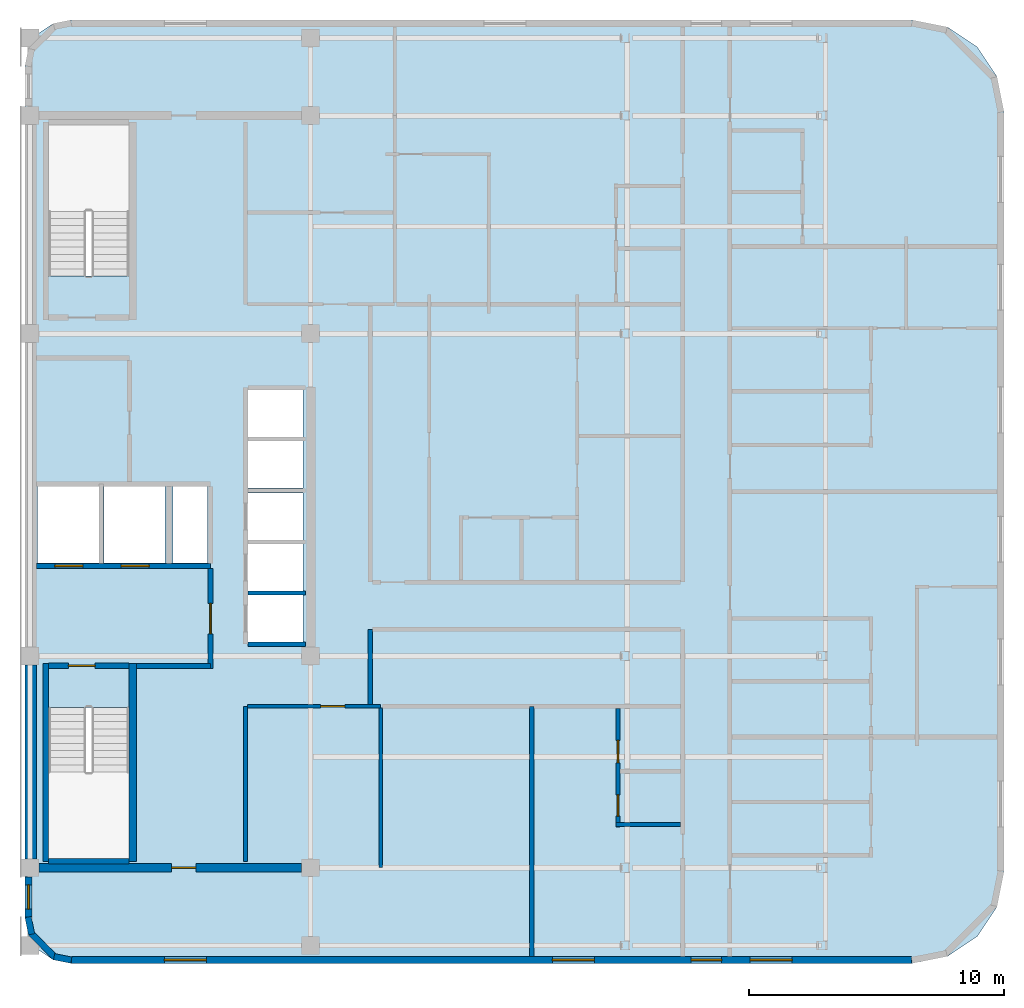
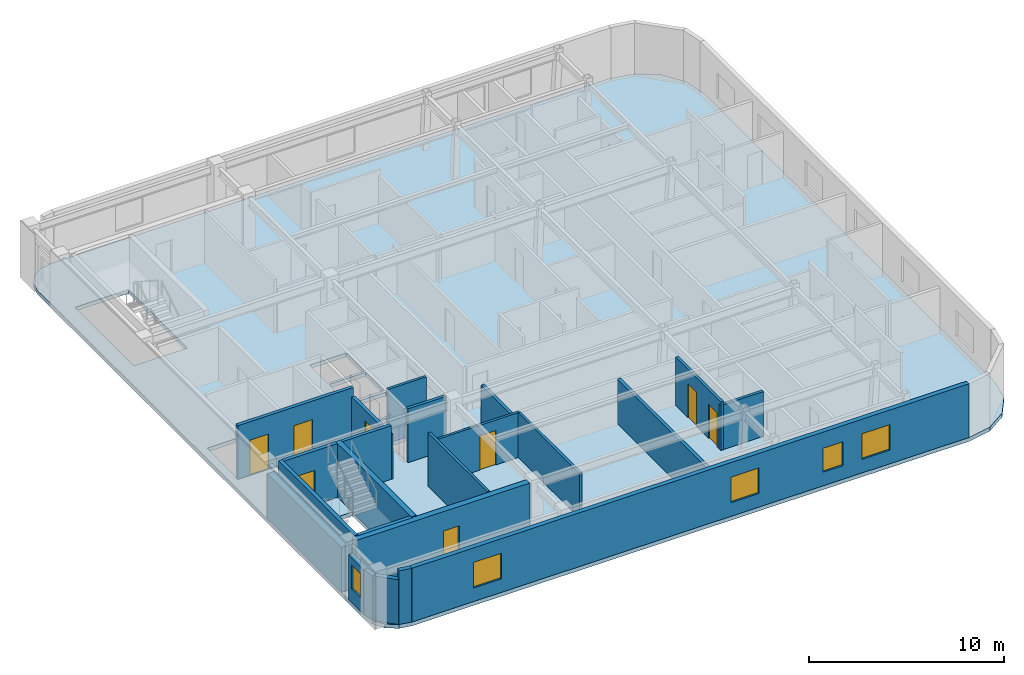
# One storey, part 2 of 7: 23 walls, 8 doors, 5 windows, 1 slab, 13 openings.
"""IFC4 building model written with IfcOpenShell, lengths in metres."""

from ifc_helpers import new_model, si_unit, direction, frame, frame_2d, origin, place, context, subcontext, project, spatial, polyline, rectangle, outline, extrude, material, layer, layer_set, type_object, element, fill, save


model = new_model("IFC4")

# Units and contexts
model_context = context("Model", 3, precision=1e-05, world=origin(), true_north=direction((0.0, 1.0)))
body_context = subcontext(model_context, "Body", "Model", "MODEL_VIEW")
ifc_project = project(units=[si_unit("LENGTHUNIT", "METRE"), si_unit("AREAUNIT", "SQUARE_METRE"), si_unit("VOLUMEUNIT", "CUBIC_METRE"), si_unit("PLANEANGLEUNIT", "RADIAN"), si_unit("MASSUNIT", "GRAM", prefix="KILO")], contexts=[model_context])

# Site, building, storey
site_placement = place(None, origin())
site = spatial("IfcSite", under=ifc_project, at=site_placement, CompositionType="ELEMENT")
building_placement = place(site_placement, origin())
building = spatial("IfcBuilding", under=site, at=building_placement, Name="Ochreholt Gables", CompositionType="ELEMENT")
storey_placement = place(building_placement, frame((0.0, 0.0, 216.60009765625)))
storey = spatial("IfcBuildingStorey", under=building, at=storey_placement, Name="L56", CompositionType="ELEMENT", Elevation=216.60009765625)

# Slab
ifc_material_1 = material(Name="Concrete 40 MPa", Category="concrete")
ifc_layer_1 = layer(ifc_material_1, 0.239990234375, Name="Concrete 40 MPa")
ifc_layer_set_1 = layer_set([ifc_layer_1], Name="Concrete 40 MPa")
slab_type = type_object("IfcSlabType", Name="SLAB-TWR-240", PredefinedType="FLOOR", material=ifc_layer_set_1)
slab_placement = place(storey_placement, frame((0.0, 0.0, -0.239990234375)))
element("IfcSlab", 1, at=slab_placement, inside=storey, type_object=slab_type, Name="L56 Structural Floor Slab", PredefinedType="FLOOR", context=body_context, shape_type="SweptSolid", body=[
    extrude(outline(polyline([(24.0, 7.300048828125), (24.136962890625, 6.611083984375), (24.527099609375, 6.027099609375), (25.111083984375, 5.636962890625), (25.800048828125, 5.5), (58.800048828125, 5.5), (60.177734375, 5.77392578125), (61.345703125, 6.554443359375), (62.1259765625, 7.722412109375), (62.39990234375, 9.10009765625), (62.39990234375, 38.89990234375), (62.1259765625, 40.277587890625), (61.345703125, 41.445556640625), (60.177734375, 42.22607421875), (58.800048828125, 42.5), (25.800048828125, 42.5), (25.111083984375, 42.363037109375), (24.527099609375, 41.972900390625), (24.136962890625, 41.388916015625), (24.0, 40.699951171875), (24.0, 7.300048828125)]), holes=[polyline([(24.919921875, 15.539306640625), (24.919921875, 9.52001953125), (28.080078125, 9.52001953125), (28.080078125, 15.539306640625), (24.919921875, 15.539306640625)]), polyline([(28.080078125, 32.460693359375), (28.080078125, 38.47998046875), (24.919921875, 38.47998046875), (24.919921875, 32.460693359375), (28.080078125, 32.460693359375)]), polyline([(24.5, 21.199951171875), (26.89990234375, 21.199951171875), (26.89990234375, 24.199951171875), (24.5, 24.199951171875), (24.5, 21.199951171875)]), polyline([(27.10009765625, 21.199951171875), (29.5, 21.199951171875), (29.5, 24.199951171875), (27.10009765625, 24.199951171875), (27.10009765625, 21.199951171875)]), polyline([(32.75, 18.10009765625), (34.89990234375, 18.10009765625), (34.89990234375, 19.949951171875), (32.75, 19.949951171875), (32.75, 18.10009765625)]), polyline([(32.75, 20.10009765625), (34.89990234375, 20.10009765625), (34.89990234375, 21.949951171875), (32.75, 21.949951171875), (32.75, 20.10009765625)]), polyline([(32.75, 22.10009765625), (34.89990234375, 22.10009765625), (34.89990234375, 23.949951171875), (32.75, 23.949951171875), (32.75, 22.10009765625)]), polyline([(32.75, 24.14990234375), (34.89990234375, 24.14990234375), (34.89990234375, 26.0), (32.75, 26.0), (32.75, 24.14990234375)]), polyline([(32.75, 26.14990234375), (34.89990234375, 26.14990234375), (34.89990234375, 28.0), (32.75, 28.0), (32.75, 26.14990234375)]), polyline([(29.800048828125, 21.199951171875), (31.14990234375, 21.199951171875), (31.14990234375, 24.199951171875), (29.800048828125, 24.199951171875), (29.800048828125, 21.199951171875)])]), origin(), (0.0, 0.0, 1.0), 0.239990234375),
])

# Wall, opening, door
ifc_material_2 = material(Name="Concrete 50 MPa", Category="concrete")
ifc_layer_2 = layer(ifc_material_2, 0.35009765625, Name="Concrete 50 MPa")
ifc_layer_set_2 = layer_set([ifc_layer_2], Name="Concrete 50 MPa")
wall_type_1 = type_object("IfcWallType", Name="WALL-CSW-350", PredefinedType="SHEAR", material=ifc_layer_set_2)
wall_1_placement = place(storey_placement, frame((24.550048828125, 9.25, 0.0), z_axis=(0.0, 0.0, 1.0), x_axis=(1.0, 0.0, 0.0)))
wall_1 = element("IfcWall", 2, at=wall_1_placement, inside=storey, type_object=wall_type_1, Name="L56 Core South Shear Wall", PredefinedType="SHEAR", context=body_context, shape_type="SweptSolid", body=[
    extrude(rectangle(XDim=10.300048828125, YDim=0.35009765625, at=frame_2d((5.14990234375, 0.0))), origin(), (0.0, 0.0, 1.0), 3.35986328125),
])
opening_1_placement = place(wall_1_placement, frame((5.199951171875, 0.0, 0.0)))
opening_1 = element("IfcOpeningElement", 3, at=opening_1_placement, cuts=wall_1, Name="Opening D-FL2", PredefinedType="OPENING", context=body_context, shape_type="SweptSolid", body=[
    extrude(rectangle(XDim=0.949951171875, YDim=2.14990234375, at=frame_2d((0.47509765625, 1.074951171875))), frame((0.0, 0.18505859375, 0.0), z_axis=(0.0, -1.0, 0.0), x_axis=(1.0, 0.0, 0.0)), (0.0, 0.0, 1.0), 0.3701171875),
])
ifc_material_3 = material(Name="Hollow Metal Steel", Category="steel")
door_type_1 = type_object("IfcDoorType", Name="DR-INT-FLB950", OperationType="NOTDEFINED", PredefinedType="DOOR", material=ifc_material_3)
door_1_placement = place(opening_1_placement, frame((0.949951171875, 0.0, 0.0), z_axis=(0.0, 0.0, 1.0), x_axis=(-1.0, 0.0, 0.0)))
door_1 = element("IfcDoor", 4, at=door_1_placement, inside=storey, type_object=door_type_1, Name="L56 Door D-C3SSL-L56", OperationType="SINGLE_SWING_LEFT", OverallHeight=2.14990234375, OverallWidth=0.949951171875, PredefinedType="DOOR", context=body_context, shape_type="SweptSolid", body=[
    extrude(rectangle(XDim=0.949951171875, YDim=2.14990234375, at=frame_2d((0.47509765625, 1.074951171875))), frame((0.0, 0.02490234375, 0.0), z_axis=(0.0, -1.0, 0.0), x_axis=(1.0, 0.0, 0.0)), (0.0, 0.0, 1.0), 0.050048828125),
])
fill(opening_1, door_1)

# Wall
ifc_layer_3 = layer(ifc_material_2, 0.449951171875, Name="Concrete 50 MPa")
ifc_layer_set_3 = layer_set([ifc_layer_3], Name="Concrete 50 MPa")
wall_type_2 = type_object("IfcWallType", Name="WALL-CSW-EXT", PredefinedType="SHEAR", material=ifc_layer_set_3)
wall_2_placement = place(storey_placement, frame((24.22509765625, 9.60009765625, 0.0), z_axis=(0.0, 0.0, 1.0), x_axis=(0.0, 1.0, 0.0)))
element("IfcWall", 5, at=wall_2_placement, inside=storey, type_object=wall_type_2, Name="L56 Core West Shear Wall WS", PredefinedType="SHEAR", context=body_context, shape_type="SweptSolid", body=[
    extrude(rectangle(XDim=7.599853515625, YDim=0.449951171875, at=frame_2d((3.7998046875, 0.0))), origin(), (0.0, 0.0, 1.0), 2.82080078125),
])

# Wall, openings, windows
ifc_material_4 = material(Name="Precast concrete 40 MPa", Category="concrete")
ifc_layer_4 = layer(ifc_material_4, 0.27001953125, Name="Precast concrete 40 MPa")
ifc_layer_set_4 = layer_set([ifc_layer_4], Name="Precast concrete 40 MPa")
wall_type_3 = type_object("IfcWallType", Name="WALL-EXT-270", PredefinedType="SOLIDWALL", material=ifc_layer_set_4)
wall_3_placement = place(storey_placement, frame((25.820068359375, 5.635009765625, 0.0), z_axis=(0.0, 0.0, 1.0), x_axis=(1.0, 0.0, 0.0)))
wall_3 = element("IfcWall", 6, at=wall_3_placement, inside=storey, type_object=wall_type_3, Name="L56 South Exterior Wall", PredefinedType="SOLIDWALL", context=body_context, shape_type="SweptSolid", body=[
    extrude(rectangle(XDim=32.9599609375, YDim=0.27001953125, at=frame_2d((16.47998046875, 0.0))), origin(), (0.0, 0.0, 1.0), 3.35986328125),
])
opening_2_placement = place(wall_3_placement, frame((3.64501953125, 0.0, 0.85009765625)))
opening_2 = element("IfcOpeningElement", 7, at=opening_2_placement, cuts=wall_3, Name="Opening WN-7", PredefinedType="OPENING", context=body_context, shape_type="SweptSolid", body=[
    extrude(rectangle(XDim=1.64990234375, YDim=1.60009765625, at=frame_2d((0.824951171875, 0.800048828125))), frame((0.0, 0.14501953125, 0.0), z_axis=(0.0, -1.0, 0.0), x_axis=(1.0, 0.0, 0.0)), (0.0, 0.0, 1.0), 0.2900390625),
])
opening_3_placement = place(wall_3_placement, frame((18.862548828125, 0.0, 0.85009765625)))
opening_3 = element("IfcOpeningElement", 8, at=opening_3_placement, cuts=wall_3, Name="Opening WN-7", PredefinedType="OPENING", context=body_context, shape_type="SweptSolid", body=[
    extrude(rectangle(XDim=1.64990234375, YDim=1.60009765625, at=frame_2d((0.824951171875, 0.800048828125))), frame((0.0, 0.14501953125, 0.0), z_axis=(0.0, -1.0, 0.0), x_axis=(1.0, 0.0, 0.0)), (0.0, 0.0, 1.0), 0.2900390625),
])
opening_4_placement = place(wall_3_placement, frame((24.304931640625, 0.0, 0.85009765625)))
opening_4 = element("IfcOpeningElement", 9, at=opening_4_placement, cuts=wall_3, Name="Opening WN-3", PredefinedType="OPENING", context=body_context, shape_type="SweptSolid", body=[
    extrude(rectangle(XDim=1.199951171875, YDim=1.5, at=frame_2d((0.60009765625, 0.75))), frame((0.0, 0.14501953125, 0.0), z_axis=(0.0, -1.0, 0.0), x_axis=(1.0, 0.0, 0.0)), (0.0, 0.0, 1.0), 0.2900390625),
])
opening_5_placement = place(wall_3_placement, frame((26.6220703125, 0.0, 0.85009765625)))
opening_5 = element("IfcOpeningElement", 10, at=opening_5_placement, cuts=wall_3, Name="Opening WN-7", PredefinedType="OPENING", context=body_context, shape_type="SweptSolid", body=[
    extrude(rectangle(XDim=1.64990234375, YDim=1.60009765625, at=frame_2d((0.824951171875, 0.800048828125))), frame((0.0, 0.14501953125, 0.0), z_axis=(0.0, -1.0, 0.0), x_axis=(1.0, 0.0, 0.0)), (0.0, 0.0, 1.0), 0.2900390625),
])
ifc_material_5 = material(Name="Triple-Glazed Thermally Broken Aluminium Window", Category="aluminium")
window_type_1 = type_object("IfcWindowType", Name="WIN-RES-1200", PartitioningType="SINGLE_PANEL", PredefinedType="WINDOW", material=ifc_material_5)
window_1_placement = place(opening_4_placement, origin())
window_1 = element("IfcWindow", 11, at=window_1_placement, inside=storey, type_object=window_type_1, Name="L56 Window W-EXT-S-L56-3", OverallHeight=1.5, OverallWidth=1.199951171875, PartitioningType="SINGLE_PANEL", PredefinedType="WINDOW", context=body_context, shape_type="SweptSolid", body=[
    extrude(rectangle(XDim=1.199951171875, YDim=1.5, at=frame_2d((0.60009765625, 0.75))), frame((0.0, 0.030029296875, 0.0), z_axis=(0.0, -1.0, 0.0), x_axis=(1.0, 0.0, 0.0)), (0.0, 0.0, 1.0), 0.06005859375),
])
fill(opening_4, window_1)
window_type_2 = type_object("IfcWindowType", Name="WIN-RES-1650", PartitioningType="SINGLE_PANEL", PredefinedType="WINDOW", material=ifc_material_5)
window_2_placement = place(opening_2_placement, origin())
window_2 = element("IfcWindow", 12, at=window_2_placement, inside=storey, type_object=window_type_2, Name="L56 Window W-EXT-S-L56-1", OverallHeight=1.60009765625, OverallWidth=1.64990234375, PartitioningType="SINGLE_PANEL", PredefinedType="WINDOW", context=body_context, shape_type="SweptSolid", body=[
    extrude(rectangle(XDim=1.64990234375, YDim=1.60009765625, at=frame_2d((0.824951171875, 0.800048828125))), frame((0.0, 0.030029296875, 0.0), z_axis=(0.0, -1.0, 0.0), x_axis=(1.0, 0.0, 0.0)), (0.0, 0.0, 1.0), 0.06005859375),
])
fill(opening_2, window_2)
window_3_placement = place(opening_3_placement, origin())
window_3 = element("IfcWindow", 13, at=window_3_placement, inside=storey, type_object=window_type_2, Name="L56 Window W-EXT-S-L56-2", OverallHeight=1.60009765625, OverallWidth=1.64990234375, PartitioningType="SINGLE_PANEL", PredefinedType="WINDOW", context=body_context, shape_type="SweptSolid", body=[
    extrude(rectangle(XDim=1.64990234375, YDim=1.60009765625, at=frame_2d((0.824951171875, 0.800048828125))), frame((0.0, 0.030029296875, 0.0), z_axis=(0.0, -1.0, 0.0), x_axis=(1.0, 0.0, 0.0)), (0.0, 0.0, 1.0), 0.06005859375),
])
fill(opening_3, window_3)
window_4_placement = place(opening_5_placement, origin())
window_4 = element("IfcWindow", 14, at=window_4_placement, inside=storey, type_object=window_type_2, Name="L56 Window W-EXT-S-L56-4", OverallHeight=1.60009765625, OverallWidth=1.64990234375, PartitioningType="SINGLE_PANEL", PredefinedType="WINDOW", context=body_context, shape_type="SweptSolid", body=[
    extrude(rectangle(XDim=1.64990234375, YDim=1.60009765625, at=frame_2d((0.824951171875, 0.800048828125))), frame((0.0, 0.030029296875, 0.0), z_axis=(0.0, -1.0, 0.0), x_axis=(1.0, 0.0, 0.0)), (0.0, 0.0, 1.0), 0.06005859375),
])
fill(opening_5, window_4)

# Wall, opening, window
wall_4_placement = place(storey_placement, frame((24.135009765625, 7.320068359375, 0.0), z_axis=(0.0, 0.0, 1.0), x_axis=(0.0, 1.0, 0.0)))
wall_4 = element("IfcWall", 15, at=wall_4_placement, inside=storey, type_object=wall_type_3, Name="L56 West Facade South Bay Wall", PredefinedType="SOLIDWALL", context=body_context, shape_type="SweptSolid", body=[
    extrude(rectangle(XDim=1.559814453125, YDim=0.27001953125, at=frame_2d((0.77978515625, 0.0))), origin(), (0.0, 0.0, 1.0), 2.802978515625),
])
opening_6_placement = place(wall_4_placement, frame((0.304931640625, 0.0, 0.85009765625)))
opening_6 = element("IfcOpeningElement", 16, at=opening_6_placement, cuts=wall_4, Name="Opening WN-10", PredefinedType="OPENING", context=body_context, shape_type="SweptSolid", body=[
    extrude(rectangle(XDim=0.949951171875, YDim=1.5, at=frame_2d((0.47509765625, 0.75))), frame((0.0, 0.14501953125, 0.0), z_axis=(0.0, -1.0, 0.0), x_axis=(1.0, 0.0, 0.0)), (0.0, 0.0, 1.0), 0.2900390625),
])
window_type_3 = type_object("IfcWindowType", Name="WIN-RES-950", PartitioningType="SINGLE_PANEL", PredefinedType="WINDOW", material=ifc_material_5)
window_5_placement = place(opening_6_placement, origin())
window_5 = element("IfcWindow", 17, at=window_5_placement, inside=storey, type_object=window_type_3, Name="L56 South Sky Lounge West Window", OverallHeight=1.5, OverallWidth=0.949951171875, PartitioningType="SINGLE_PANEL", PredefinedType="WINDOW", context=body_context, shape_type="SweptSolid", body=[
    extrude(rectangle(XDim=0.949951171875, YDim=1.5, at=frame_2d((0.47509765625, 0.75))), frame((0.0, 0.030029296875, 0.0), z_axis=(0.0, -1.0, 0.0), x_axis=(1.0, 0.0, 0.0)), (0.0, 0.0, 1.0), 0.06005859375),
])
fill(opening_6, window_5)

# Walls
ifc_layer_5 = layer(ifc_material_4, 0.25, Name="Precast concrete 40 MPa")
ifc_layer_set_5 = layer_set([ifc_layer_5], Name="Precast concrete 40 MPa")
wall_type_4 = type_object("IfcWallType", Name="WALL-EXT-CNR", PredefinedType="SOLIDWALL", material=ifc_layer_set_5)
wall_5_placement = place(storey_placement, frame((24.124267578125, 7.31640625, 0.0), z_axis=(0.0, 0.0, 1.0), x_axis=(0.194952956674, -0.980812594069, 0.0)))
element("IfcWall", 18, at=wall_5_placement, inside=storey, type_object=wall_type_4, Name="L56 Rounded Corner Wall SW-1", PredefinedType="SOLIDWALL", context=body_context, shape_type="SweptSolid", body=[
    extrude(rectangle(XDim=0.686279296875, YDim=0.25, at=frame_2d((0.34326171875, 0.0))), origin(), (0.0, 0.0, 1.0), 2.802978515625),
])
wall_6_placement = place(storey_placement, frame((24.23095703125, 6.69384765625, 0.0), z_axis=(0.0, 0.0, 1.0), x_axis=(0.707106781187, -0.707106781187, 0.0)))
element("IfcWall", 19, at=wall_6_placement, inside=storey, type_object=wall_type_4, Name="L56 Rounded Corner Wall SW-2", PredefinedType="SOLIDWALL", context=body_context, shape_type="SweptSolid", body=[
    extrude(rectangle(XDim=1.36181640625, YDim=0.25, at=frame_2d((0.680908203125, 0.0))), origin(), (0.0, 0.0, 1.0), 2.802978515625),
])
wall_7_placement = place(storey_placement, frame((25.143310546875, 5.758056640625, 0.0), z_axis=(0.0, 0.0, 1.0), x_axis=(0.980812594069, -0.194952956674, 0.0)))
element("IfcWall", 20, at=wall_7_placement, inside=storey, type_object=wall_type_4, Name="L56 Rounded Corner Wall SW-3", PredefinedType="SOLIDWALL", context=body_context, shape_type="SweptSolid", body=[
    extrude(rectangle(XDim=0.686279296875, YDim=0.25, at=frame_2d((0.34326171875, 0.0))), origin(), (0.0, 0.0, 1.0), 3.35986328125),
])

# Wall, openings, doors
ifc_layer_6 = layer(ifc_material_1, 0.199951171875, Name="Concrete 40 MPa")
ifc_layer_set_6 = layer_set([ifc_layer_6], Name="Concrete 40 MPa")
wall_type_5 = type_object("IfcWallType", Name="WALL-INT-CF200", PredefinedType="STANDARD", material=ifc_layer_set_6)
wall_8_placement = place(storey_placement, frame((24.449951171875, 21.090087890625, 0.0), z_axis=(0.0, 0.0, 1.0), x_axis=(1.0, 0.0, 0.0)))
wall_8 = element("IfcWall", 21, at=wall_8_placement, inside=storey, type_object=wall_type_5, Name="L56 Interior Wall WI-FFN-L56", PredefinedType="STANDARD", context=body_context, shape_type="SweptSolid", body=[
    extrude(rectangle(XDim=6.830078125, YDim=0.199951171875, at=frame_2d((3.4150390625, 0.0))), origin(), (0.0, 0.0, 1.0), 3.35986328125),
])
opening_7_placement = place(wall_8_placement, frame((0.719970703125, 0.0, 0.0)))
opening_7 = element("IfcOpeningElement", 22, at=opening_7_placement, cuts=wall_8, Name="Opening LD-FF", PredefinedType="OPENING", context=body_context, shape_type="SweptSolid", body=[
    extrude(rectangle(XDim=1.10009765625, YDim=2.199951171875, at=frame_2d((0.550048828125, 1.10009765625))), frame((0.0, 0.10986328125, 0.0), z_axis=(0.0, -1.0, 0.0), x_axis=(1.0, 0.0, 0.0)), (0.0, 0.0, 1.0), 0.219970703125),
])
opening_8_placement = place(wall_8_placement, frame((3.320068359375, 0.0, 0.0)))
opening_8 = element("IfcOpeningElement", 23, at=opening_8_placement, cuts=wall_8, Name="Opening LD-FF", PredefinedType="OPENING", context=body_context, shape_type="SweptSolid", body=[
    extrude(rectangle(XDim=1.10009765625, YDim=2.199951171875, at=frame_2d((0.550048828125, 1.10009765625))), frame((0.0, 0.10986328125, 0.0), z_axis=(0.0, -1.0, 0.0), x_axis=(1.0, 0.0, 0.0)), (0.0, 0.0, 1.0), 0.219970703125),
])
ifc_material_6 = material(Name="Stainless Steel", Category="steel")
door_type_2 = type_object("IfcDoorType", Name="DR-LFT-FF1100", OperationType="NOTDEFINED", PredefinedType="DOOR", material=ifc_material_6)
door_2_placement = place(opening_7_placement, origin())
door_2 = element("IfcDoor", 24, at=door_2_placement, inside=storey, type_object=door_type_2, Name="L56 Door LD-FF1-L56", OperationType="SLIDING_TO_LEFT", OverallHeight=2.199951171875, OverallWidth=1.10009765625, PredefinedType="DOOR", context=body_context, shape_type="SweptSolid", body=[
    extrude(rectangle(XDim=1.10009765625, YDim=2.199951171875, at=frame_2d((0.550048828125, 1.10009765625))), frame((0.0, 0.02490234375, 0.0), z_axis=(0.0, -1.0, 0.0), x_axis=(1.0, 0.0, 0.0)), (0.0, 0.0, 1.0), 0.050048828125),
])
fill(opening_7, door_2)
door_3_placement = place(opening_8_placement, origin())
door_3 = element("IfcDoor", 25, at=door_3_placement, inside=storey, type_object=door_type_2, Name="L56 Door LD-FF2-L56", OperationType="SLIDING_TO_LEFT", OverallHeight=2.199951171875, OverallWidth=1.10009765625, PredefinedType="DOOR", context=body_context, shape_type="SweptSolid", body=[
    extrude(rectangle(XDim=1.10009765625, YDim=2.199951171875, at=frame_2d((0.550048828125, 1.10009765625))), frame((0.0, 0.02490234375, 0.0), z_axis=(0.0, -1.0, 0.0), x_axis=(1.0, 0.0, 0.0)), (0.0, 0.0, 1.0), 0.050048828125),
])
fill(opening_8, door_3)

# Wall
wall_9_placement = place(storey_placement, frame((28.3798828125, 17.169921875, 0.0), z_axis=(0.0, 0.0, 1.0), x_axis=(1.0, 0.0, 0.0)))
element("IfcWall", 26, at=wall_9_placement, inside=storey, type_object=wall_type_5, Name="L56 Interior Wall WI-FFS-L56", PredefinedType="STANDARD", context=body_context, shape_type="SweptSolid", body=[
    extrude(rectangle(XDim=2.900146484375, YDim=0.199951171875, at=frame_2d((1.4501953125, 0.0))), origin(), (0.0, 0.0, 1.0), 3.35986328125),
])

# Wall, opening, door
wall_10_placement = place(storey_placement, frame((31.280029296875, 17.070068359375, 0.0), z_axis=(0.0, 0.0, 1.0), x_axis=(0.0, 1.0, 0.0)))
wall_10 = element("IfcWall", 27, at=wall_10_placement, inside=storey, type_object=wall_type_5, Name="L56 Interior Wall WI-FFE-L56", PredefinedType="STANDARD", context=body_context, shape_type="SweptSolid", body=[
    extrude(rectangle(XDim=3.919921875, YDim=0.199951171875, at=frame_2d((1.9599609375, 0.0))), origin(), (0.0, 0.0, 1.0), 2.802978515625),
])
opening_9_placement = place(wall_10_placement, frame((1.35009765625, 0.0, 0.0)))
opening_9 = element("IfcOpeningElement", 28, at=opening_9_placement, cuts=wall_10, Name="Opening D-FFL", PredefinedType="OPENING", context=body_context, shape_type="SweptSolid", body=[
    extrude(rectangle(XDim=1.199951171875, YDim=2.14990234375, at=frame_2d((0.60009765625, 1.074951171875))), frame((0.0, 0.10986328125, 0.0), z_axis=(0.0, -1.0, 0.0), x_axis=(1.0, 0.0, 0.0)), (0.0, 0.0, 1.0), 0.219970703125),
])
door_type_3 = type_object("IfcDoorType", Name="DR-INT-FFL1200", OperationType="NOTDEFINED", PredefinedType="DOOR", material=ifc_material_3)
door_4_placement = place(opening_9_placement, origin())
door_4 = element("IfcDoor", 29, at=door_4_placement, inside=storey, type_object=door_type_3, Name="L56 Door D-FFL-L56", OperationType="SINGLE_SWING_LEFT", OverallHeight=2.14990234375, OverallWidth=1.199951171875, PredefinedType="DOOR", context=body_context, shape_type="SweptSolid", body=[
    extrude(rectangle(XDim=1.199951171875, YDim=2.14990234375, at=frame_2d((0.60009765625, 1.074951171875))), frame((0.0, 0.02490234375, 0.0), z_axis=(0.0, -1.0, 0.0), x_axis=(1.0, 0.0, 0.0)), (0.0, 0.0, 1.0), 0.050048828125),
])
fill(opening_9, door_4)

# Walls
ifc_material_7 = material(Name="Fire-Rated Gypsum Acoustic Partition", Category="gypsum")
ifc_layer_7 = layer(ifc_material_7, 0.179931640625, Name="Fire-Rated Gypsum Acoustic Partition")
ifc_layer_set_7 = layer_set([ifc_layer_7], Name="Fire-Rated Gypsum Acoustic Partition")
wall_type_6 = type_object("IfcWallType", Name="WALL-INT-CR180", PredefinedType="STANDARD", material=ifc_layer_set_7)
wall_11_placement = place(storey_placement, frame((37.550048828125, 15.652587890625, 0.0), z_axis=(0.0, 0.0, 1.0), x_axis=(0.0, 1.0, 0.0)))
element("IfcWall", 30, at=wall_11_placement, inside=storey, type_object=wall_type_6, Name="L56 Interior Wall WI-C3CE0-L56", PredefinedType="STANDARD", context=body_context, shape_type="SweptSolid", body=[
    extrude(rectangle(XDim=2.947509765625, YDim=0.179931640625, at=frame_2d((1.4736328125, 0.0))), origin(), (0.0, 0.0, 1.0), 2.802978515625),
])
ifc_material_8 = material(Name="Double-Stud Acoustic Demising Wall", Category="gypsum")
ifc_layer_8 = layer(ifc_material_8, 0.18505859375, Name="Double-Stud Acoustic Demising Wall")
ifc_layer_set_8 = layer_set([ifc_layer_8], Name="Double-Stud Acoustic Demising Wall")
wall_type_7 = type_object("IfcWallType", Name="WALL-INT-DM185", PredefinedType="PARTITIONING", material=ifc_layer_set_8)
wall_12_placement = place(storey_placement, frame((43.875, 5.77001953125, 0.0), z_axis=(0.0, 0.0, 1.0), x_axis=(0.0, 1.0, 0.0)))
element("IfcWall", 31, at=wall_12_placement, inside=storey, type_object=wall_type_7, Name="L56 Interior Wall WI-C3SMX-L56", PredefinedType="PARTITIONING", context=body_context, shape_type="SweptSolid", body=[
    extrude(rectangle(XDim=9.81005859375, YDim=0.18505859375, at=frame_2d((4.905029296875, 0.0))), origin(), (0.0, 0.0, 1.0), 2.802978515625),
])
ifc_material_9 = material(Name="Moisture-Resistant Plumbing Chase Wall", Category="gypsum")
ifc_layer_9 = layer(ifc_material_9, 0.159912109375, Name="Moisture-Resistant Plumbing Chase Wall")
ifc_layer_set_9 = layer_set([ifc_layer_9], Name="Moisture-Resistant Plumbing Chase Wall")
wall_type_8 = type_object("IfcWallType", Name="WALL-INT-PL160", PredefinedType="PLUMBINGWALL", material=ifc_layer_set_9)
wall_13_placement = place(storey_placement, frame((47.179931640625, 10.93994140625, 0.0), z_axis=(0.0, 0.0, 1.0), x_axis=(1.0, 0.0, 0.0)))
element("IfcWall", 32, at=wall_13_placement, inside=storey, type_object=wall_type_8, Name="L56 Interior Wall WU-L56SM1-WYS", PredefinedType="PLUMBINGWALL", context=body_context, shape_type="SweptSolid", body=[
    extrude(rectangle(XDim=2.530029296875, YDim=0.159912109375, at=frame_2d((1.26513671875, 0.0))), origin(), (0.0, 0.0, 1.0), 2.802978515625),
])

# Wall, openings, doors
wall_14_placement = place(storey_placement, frame((47.260009765625, 10.85009765625, 0.0), z_axis=(0.0, 0.0, 1.0), x_axis=(0.0, 1.0, 0.0)))
wall_14 = element("IfcWall", 33, at=wall_14_placement, inside=storey, type_object=wall_type_8, Name="L56 Interior Wall WU-L56SM1-WX", PredefinedType="PLUMBINGWALL", context=body_context, shape_type="SweptSolid", body=[
    extrude(rectangle(XDim=4.637451171875, YDim=0.159912109375, at=frame_2d((2.31884765625, 0.0))), origin(), (0.0, 0.0, 1.0), 3.038818359375),
])
opening_10_placement = place(wall_14_placement, frame((0.419921875, 0.0, 0.0)))
opening_10 = element("IfcOpeningElement", 34, at=opening_10_placement, cuts=wall_14, Name="Opening D-BT2", PredefinedType="OPENING", context=body_context, shape_type="SweptSolid", body=[
    extrude(rectangle(XDim=0.840087890625, YDim=2.1201171875, at=frame_2d((0.419921875, 1.06005859375))), frame((0.0, 0.08984375, 0.0), z_axis=(0.0, -1.0, 0.0), x_axis=(1.0, 0.0, 0.0)), (0.0, 0.0, 1.0), 0.179931640625),
])
opening_11_placement = place(wall_14_placement, frame((2.512939453125, 0.0, 0.0)))
opening_11 = element("IfcOpeningElement", 35, at=opening_11_placement, cuts=wall_14, Name="Opening D-GN2", PredefinedType="OPENING", context=body_context, shape_type="SweptSolid", body=[
    extrude(rectangle(XDim=0.8798828125, YDim=2.1201171875, at=frame_2d((0.43994140625, 1.06005859375))), frame((0.0, 0.08984375, 0.0), z_axis=(0.0, -1.0, 0.0), x_axis=(1.0, 0.0, 0.0)), (0.0, 0.0, 1.0), 0.179931640625),
])
ifc_material_10 = material(Name="Engineered Oak Timber", Category="wood")
door_type_4 = type_object("IfcDoorType", Name="DR-INT-BTH840", OperationType="NOTDEFINED", PredefinedType="DOOR", material=ifc_material_10)
door_5_placement = place(opening_10_placement, origin())
door_5 = element("IfcDoor", 36, at=door_5_placement, inside=storey, type_object=door_type_4, Name="L56 Door D-U-L56SM1-BTH", OperationType="SINGLE_SWING_LEFT", OverallHeight=2.1201171875, OverallWidth=0.840087890625, PredefinedType="DOOR", context=body_context, shape_type="SweptSolid", body=[
    extrude(rectangle(XDim=0.840087890625, YDim=2.1201171875, at=frame_2d((0.419921875, 1.06005859375))), frame((0.0, 0.02490234375, 0.0), z_axis=(0.0, -1.0, 0.0), x_axis=(1.0, 0.0, 0.0)), (0.0, 0.0, 1.0), 0.050048828125),
])
fill(opening_10, door_5)
door_type_5 = type_object("IfcDoorType", Name="DR-INT-GEN880", OperationType="NOTDEFINED", PredefinedType="DOOR", material=ifc_material_10)
door_6_placement = place(opening_11_placement, origin())
door_6 = element("IfcDoor", 37, at=door_6_placement, inside=storey, type_object=door_type_5, Name="L56 Door D-U-L56SM1-KIT", OperationType="SINGLE_SWING_RIGHT", OverallHeight=2.1201171875, OverallWidth=0.8798828125, PredefinedType="DOOR", context=body_context, shape_type="SweptSolid", body=[
    extrude(rectangle(XDim=0.8798828125, YDim=2.1201171875, at=frame_2d((0.43994140625, 1.06005859375))), frame((0.0, 0.02490234375, 0.0), z_axis=(0.0, -1.0, 0.0), x_axis=(1.0, 0.0, 0.0)), (0.0, 0.0, 1.0), 0.050048828125),
])
fill(opening_11, door_6)

# Wall
ifc_material_11 = material(Name="Lightweight Stud Partition", Category="gypsum")
ifc_layer_10 = layer(ifc_material_11, 0.14501953125, Name="Lightweight Stud Partition")
ifc_layer_set_10 = layer_set([ifc_layer_10], Name="Lightweight Stud Partition")
wall_type_9 = type_object("IfcWallType", Name="WALL-INT-PT145", PredefinedType="PARTITIONING", material=ifc_layer_set_10)
wall_15_placement = place(storey_placement, frame((32.64990234375, 9.5, 0.0), z_axis=(0.0, 0.0, 1.0), x_axis=(0.0, 1.0, 0.0)))
element("IfcWall", 38, at=wall_15_placement, inside=storey, type_object=wall_type_9, Name="L56 Interior Wall WI-RCL-W-L56", PredefinedType="PARTITIONING", context=body_context, shape_type="SweptSolid", body=[
    extrude(rectangle(XDim=6.080078125, YDim=0.14501953125, at=frame_2d((3.0400390625, 0.0))), origin(), (0.0, 0.0, 1.0), 3.35986328125),
])

# Wall, opening, door
wall_16_placement = place(storey_placement, frame((32.722412109375, 15.580078125, 0.0), z_axis=(0.0, 0.0, 1.0), x_axis=(1.0, 0.0, 0.0)))
wall_16 = element("IfcWall", 39, at=wall_16_placement, inside=storey, type_object=wall_type_9, Name="L56 Interior Wall WI-RCL-N-L56", PredefinedType="PARTITIONING", context=body_context, shape_type="SweptSolid", body=[
    extrude(rectangle(XDim=5.2275390625, YDim=0.14501953125, at=frame_2d((2.61376953125, 0.0))), origin(), (0.0, 0.0, 1.0), 2.802978515625),
])
opening_12_placement = place(wall_16_placement, frame((2.87744140625, 0.0, 0.0)))
opening_12 = element("IfcOpeningElement", 40, at=opening_12_placement, cuts=wall_16, Name="Opening D-GN1", PredefinedType="OPENING", context=body_context, shape_type="SweptSolid", body=[
    extrude(rectangle(XDim=0.949951171875, YDim=2.14990234375, at=frame_2d((0.47509765625, 1.074951171875))), frame((0.0, 0.08251953125, 0.0), z_axis=(0.0, -1.0, 0.0), x_axis=(1.0, 0.0, 0.0)), (0.0, 0.0, 1.0), 0.1650390625),
])
door_type_6 = type_object("IfcDoorType", Name="DR-INT-GEN950", OperationType="NOTDEFINED", PredefinedType="DOOR", material=ifc_material_10)
door_7_placement = place(opening_12_placement, origin())
door_7 = element("IfcDoor", 41, at=door_7_placement, inside=storey, type_object=door_type_6, Name="L56 Door D-RCL-L56", OperationType="SINGLE_SWING_LEFT", OverallHeight=2.14990234375, OverallWidth=0.949951171875, PredefinedType="DOOR", context=body_context, shape_type="SweptSolid", body=[
    extrude(rectangle(XDim=0.949951171875, YDim=2.14990234375, at=frame_2d((0.47509765625, 1.074951171875))), frame((0.0, 0.02490234375, 0.0), z_axis=(0.0, -1.0, 0.0), x_axis=(1.0, 0.0, 0.0)), (0.0, 0.0, 1.0), 0.050048828125),
])
fill(opening_12, door_7)

# Walls
wall_17_placement = place(storey_placement, frame((37.949951171875, 9.25, 0.0), z_axis=(0.0, 0.0, 1.0), x_axis=(0.0, 1.0, 0.0)))
element("IfcWall", 42, at=wall_17_placement, inside=storey, type_object=wall_type_9, Name="L56 Interior Wall WI-RCL-E-L56", PredefinedType="PARTITIONING", context=body_context, shape_type="SweptSolid", body=[
    extrude(rectangle(XDim=6.257568359375, YDim=0.14501953125, at=frame_2d((3.12890625, 0.0))), origin(), (0.0, 0.0, 1.0), 2.802978515625),
])
ifc_material_12 = material(Name="Gypsum Shaftliner and Steel Stud", Category="steel")
ifc_layer_11 = layer(ifc_material_12, 0.14990234375, Name="Gypsum Shaftliner and Steel Stud")
ifc_layer_set_11 = layer_set([ifc_layer_11], Name="Gypsum Shaftliner and Steel Stud")
wall_type_10 = type_object("IfcWallType", Name="WALL-INT-SH150", PredefinedType="STANDARD", material=ifc_layer_set_11)
wall_18_placement = place(storey_placement, frame((32.739990234375, 20.02001953125, 0.0), z_axis=(0.0, 0.0, 1.0), x_axis=(1.0, 0.0, 0.0)))
element("IfcWall", 43, at=wall_18_placement, inside=storey, type_object=wall_type_10, Name="L56 Interior Wall WI-LFHE-DH1-L56", PredefinedType="STANDARD", context=body_context, shape_type="SweptSolid", body=[
    extrude(rectangle(XDim=2.260009765625, YDim=0.14990234375, at=frame_2d((1.1298828125, 0.0))), origin(), (0.0, 0.0, 1.0), 3.35986328125),
])
ifc_layer_12 = layer(ifc_material_12, 0.179931640625, Name="Gypsum Shaftliner and Steel Stud")
ifc_layer_set_12 = layer_set([ifc_layer_12], Name="Gypsum Shaftliner and Steel Stud")
wall_type_11 = type_object("IfcWallType", Name="WALL-INT-SH180", PredefinedType="STANDARD", material=ifc_layer_set_12)
wall_19_placement = place(storey_placement, frame((32.739990234375, 18.02001953125, 0.0), z_axis=(0.0, 0.0, 1.0), x_axis=(1.0, 0.0, 0.0)))
element("IfcWall", 44, at=wall_19_placement, inside=storey, type_object=wall_type_11, Name="L56 Interior Wall WI-LFHE-S-L56", PredefinedType="STANDARD", context=body_context, shape_type="SweptSolid", body=[
    extrude(rectangle(XDim=2.260009765625, YDim=0.179931640625, at=frame_2d((1.1298828125, 0.0))), origin(), (0.0, 0.0, 1.0), 3.35986328125),
])
ifc_material_13 = material(Name="Concrete 60 MPa", Category="concrete")
ifc_layer_13 = layer(ifc_material_13, 0.300048828125, Name="Concrete 60 MPa")
ifc_layer_set_13 = layer_set([ifc_layer_13], Name="Concrete 60 MPa")
wall_type_12 = type_object("IfcWallType", Name="WALL-SPN-300", PredefinedType="SHEAR", material=ifc_layer_set_13)
wall_20_placement = place(storey_placement, frame((28.22998046875, 9.5, 0.0), z_axis=(0.0, 0.0, 1.0), x_axis=(0.0, 1.0, 0.0)))
element("IfcWall", 45, at=wall_20_placement, inside=storey, type_object=wall_type_12, Name="L56 Core South Spine Shear Wall", PredefinedType="SHEAR", context=body_context, shape_type="SweptSolid", body=[
    extrude(rectangle(XDim=7.760009765625, YDim=0.300048828125, at=frame_2d((3.8798828125, 0.0))), origin(), (0.0, 0.0, 1.0), 3.35986328125),
])
ifc_layer_14 = layer(ifc_material_2, 0.219970703125, Name="Concrete 50 MPa")
ifc_layer_set_14 = layer_set([ifc_layer_14], Name="Concrete 50 MPa")
wall_type_13 = type_object("IfcWallType", Name="WALL-STW-220", PredefinedType="SHEAR", material=ifc_layer_set_14)
wall_21_placement = place(storey_placement, frame((24.81005859375, 9.5, 0.0), z_axis=(0.0, 0.0, 1.0), x_axis=(0.0, 1.0, 0.0)))
element("IfcWall", 46, at=wall_21_placement, inside=storey, type_object=wall_type_13, Name="L56 Exit Stair 1 West Wall", PredefinedType="SHEAR", context=body_context, shape_type="SweptSolid", body=[
    extrude(rectangle(XDim=7.760009765625, YDim=0.219970703125, at=frame_2d((3.8798828125, 0.0))), origin(), (0.0, 0.0, 1.0), 3.35986328125),
])
wall_22_placement = place(storey_placement, frame((24.919921875, 9.510009765625, 0.0), z_axis=(0.0, 0.0, 1.0), x_axis=(1.0, 0.0, 0.0)))
element("IfcWall", 47, at=wall_22_placement, inside=storey, type_object=wall_type_13, Name="L56 Exit Stair 1 South Wall", PredefinedType="SHEAR", context=body_context, shape_type="SweptSolid", body=[
    extrude(rectangle(XDim=3.16015625, YDim=0.219970703125, at=frame_2d((1.580078125, 0.0))), origin(), (0.0, 0.0, 1.0), 3.35986328125),
])

# Wall, opening, door
wall_23_placement = place(storey_placement, frame((24.919921875, 17.169921875, 0.0), z_axis=(0.0, 0.0, 1.0), x_axis=(1.0, 0.0, 0.0)))
wall_23 = element("IfcWall", 48, at=wall_23_placement, inside=storey, type_object=wall_type_13, Name="L56 Exit Stair 1 North Wall", PredefinedType="SHEAR", context=body_context, shape_type="SweptSolid", body=[
    extrude(rectangle(XDim=3.16015625, YDim=0.219970703125, at=frame_2d((1.580078125, 0.0))), origin(), (0.0, 0.0, 1.0), 3.35986328125),
])
opening_13_placement = place(wall_23_placement, frame((0.780029296875, 0.0, 0.0)))
opening_13 = element("IfcOpeningElement", 49, at=opening_13_placement, cuts=wall_23, Name="Opening D-STC", PredefinedType="OPENING", context=body_context, shape_type="SweptSolid", body=[
    extrude(rectangle(XDim=1.050048828125, YDim=2.14990234375, at=frame_2d((0.52490234375, 1.074951171875))), frame((0.0, 0.119873046875, 0.0), z_axis=(0.0, -1.0, 0.0), x_axis=(1.0, 0.0, 0.0)), (0.0, 0.0, 1.0), 0.239990234375),
])
door_type_7 = type_object("IfcDoorType", Name="DR-INT-ST1050", OperationType="NOTDEFINED", PredefinedType="DOOR", material=ifc_material_3)
door_8_placement = place(opening_13_placement, frame((1.050048828125, 0.0, 0.0), z_axis=(0.0, 0.0, 1.0), x_axis=(-1.0, 0.0, 0.0)))
door_8 = element("IfcDoor", 50, at=door_8_placement, inside=storey, type_object=door_type_7, Name="L56 Door D-ST1-L56", OperationType="SINGLE_SWING_LEFT", OverallHeight=2.14990234375, OverallWidth=1.050048828125, PredefinedType="DOOR", context=body_context, shape_type="SweptSolid", body=[
    extrude(rectangle(XDim=1.050048828125, YDim=2.14990234375, at=frame_2d((0.52490234375, 1.074951171875))), frame((0.0, 0.02490234375, 0.0), z_axis=(0.0, -1.0, 0.0), x_axis=(1.0, 0.0, 0.0)), (0.0, 0.0, 1.0), 0.050048828125),
])
fill(opening_13, door_8)

save(model, "model.ifc")
